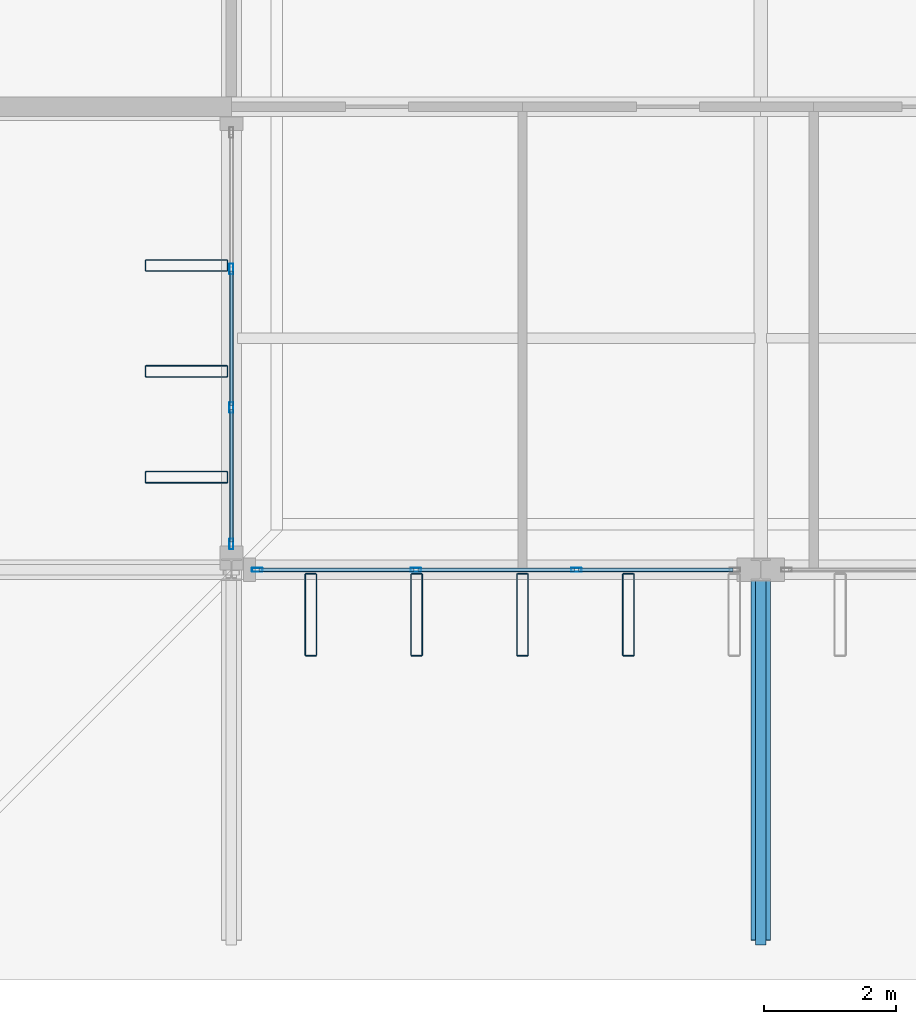
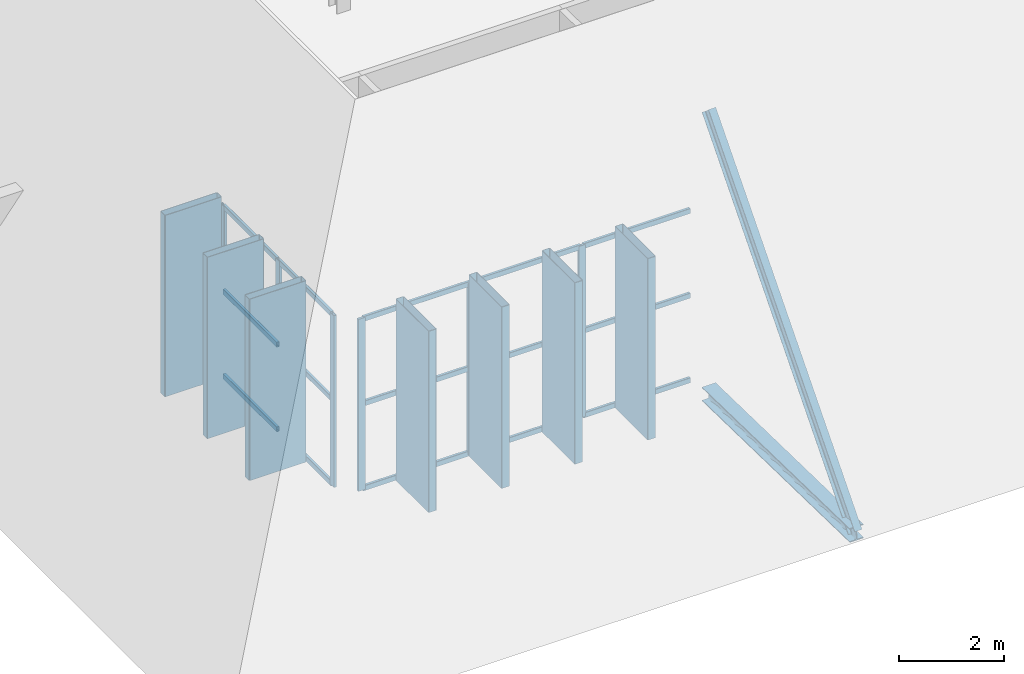
# One storey, part 16 of 93: 29 members, 1 beam, 2 elements without a shape of their own.
"""IFC4 building model written with IfcOpenShell, lengths in metres."""

from ifc_helpers import new_model, si_unit, direction, frame, origin, origin_2d, place, context, subcontext, project, spatial, hollow_rectangle, i_section, extrude, material, layer, layer_set, material_profile, profile_set, type_object, element, aggregate, save


model = new_model("IFC4")

# Units and contexts
model_context = context("Model", 3, precision=1e-05, world=origin(), true_north=direction((0.0, 1.0)))
body_context = subcontext(model_context, "Body", "Model", "MODEL_VIEW")
ifc_project = project(units=[si_unit("LENGTHUNIT", "METRE"), si_unit("AREAUNIT", "SQUARE_METRE"), si_unit("VOLUMEUNIT", "CUBIC_METRE"), si_unit("PLANEANGLEUNIT", "RADIAN"), si_unit("MASSUNIT", "GRAM", prefix="KILO")], contexts=[model_context])

# Site, building, storey
site_placement = place(None, origin())
site = spatial("IfcSite", under=ifc_project, at=site_placement, CompositionType="ELEMENT")
building_placement = place(site_placement, origin())
building = spatial("IfcBuilding", under=site, at=building_placement, Name="Vekula Escarpment Museum", CompositionType="ELEMENT")
storey_placement = place(building_placement, frame((0.0, 0.0, 22.199951171875)))
storey = spatial("IfcBuildingStorey", under=building, at=storey_placement, Name="L05", CompositionType="ELEMENT", Elevation=22.199951171875)

# Beam
ifc_material_1 = material(Name="Steel S355", Category="steel")
ifc_material_profile_1 = material_profile(ifc_material_1, i_section(OverallWidth=0.300048828125, OverallDepth=0.320068359375, WebThickness=0.011474609375, FlangeThickness=0.0205078125, FilletRadius=0.027099609375, at=origin_2d()), Name="HEB 320")
ifc_profile_set_1 = profile_set([ifc_material_profile_1], Name="Steel S355")
beam_type = type_object("IfcBeamType", Name="BM-EAVE-OUT", PredefinedType="BEAM", material=ifc_profile_set_1)
beam_placement = place(storey_placement, frame((78.0, 45.60009765625, -0.39990234375), z_axis=(0.0, -0.999770980386, 0.021400625659), x_axis=(1.0, 0.0, 0.0)))
element("IfcBeam", 1, at=beam_placement, inside=storey, type_object=beam_type, Name="Great Hall South Eave Outrigger 78", PredefinedType="BEAM", context=body_context, shape_type="SweptSolid", body=[
    extrude(i_section(OverallWidth=0.300048828125, OverallDepth=0.320068359375, WebThickness=0.011474609375, FlangeThickness=0.0205078125, FilletRadius=0.027099609375, at=origin_2d()), origin(), (0.0, 0.0, 1.0), 5.601318359375),
])

# Curtain wall, members
ifc_material_2 = material(Name="Aluminium thermally broken framing", Category="aluminium")
ifc_layer_1 = layer(ifc_material_2, 0.159912109375)
ifc_layer_set_1 = layer_set([ifc_layer_1], Name="Aluminium thermally broken framing")
curtain_wall_type_1 = type_object("IfcCurtainWallType", Name="CW-SYS-02", PredefinedType="NOTDEFINED", material=ifc_layer_set_1)
curtain_wall_1_placement = place(storey_placement, origin())
curtain_wall_1 = element("IfcCurtainWall", 2, at=curtain_wall_1_placement, inside=storey, type_object=curtain_wall_type_1, Name="Curtain Wall CW-L05-162", PredefinedType="NOTDEFINED")
ifc_material_3 = material(Name="Aluminium anodized mullion", Category="aluminium")
ifc_material_profile_2 = material_profile(ifc_material_3, hollow_rectangle(XDim=0.06005859375, YDim=0.159912109375, WallThickness=0.00390625, InnerFilletRadius=0.00390625, OuterFilletRadius=0.008056640625, at=origin_2d()), Name="ALU 160x60x4")
ifc_profile_set_2 = profile_set([ifc_material_profile_2], Name="Aluminium anodized mullion")
member_type_1 = type_object("IfcMemberType", Name="CW-MUL-160", PredefinedType="MULLION", material=ifc_profile_set_2)
member_1_placement = place(storey_placement, frame((70.0, 50.146728515625, 0.0), z_axis=(0.0, 0.0, 1.0), x_axis=(1.0, 0.0, 0.0)))
member_1 = element("IfcMember", 3, at=member_1_placement, type_object=member_type_1, Name="CW-02 mullion 2", PredefinedType="MULLION", context=body_context, shape_type="SweptSolid", body=[
    extrude(hollow_rectangle(XDim=0.06005859375, YDim=0.159912109375, WallThickness=0.00390625, InnerFilletRadius=0.00390625, OuterFilletRadius=0.008056640625, at=origin_2d()), origin(), (0.0, 0.0, 1.0), 3.97998046875),
])
member_2_placement = place(storey_placement, frame((70.0, 48.05322265625, 0.0), z_axis=(0.0, 0.0, 1.0), x_axis=(1.0, 0.0, 0.0)))
member_2 = element("IfcMember", 4, at=member_2_placement, type_object=member_type_1, Name="CW-02 mullion 3", PredefinedType="MULLION", context=body_context, shape_type="SweptSolid", body=[
    extrude(hollow_rectangle(XDim=0.06005859375, YDim=0.159912109375, WallThickness=0.00390625, InnerFilletRadius=0.00390625, OuterFilletRadius=0.008056640625, at=origin_2d()), origin(), (0.0, 0.0, 1.0), 3.97998046875),
])
member_3_placement = place(storey_placement, frame((70.0, 45.989990234375, 0.0), z_axis=(0.0, 0.0, 1.0), x_axis=(1.0, 0.0, 0.0)))
member_3 = element("IfcMember", 5, at=member_3_placement, type_object=member_type_1, Name="CW-02 mullion 4", PredefinedType="MULLION", context=body_context, shape_type="SweptSolid", body=[
    extrude(hollow_rectangle(XDim=0.06005859375, YDim=0.159912109375, WallThickness=0.00390625, InnerFilletRadius=0.00390625, OuterFilletRadius=0.008056640625, at=origin_2d()), origin(), (0.0, 0.0, 1.0), 3.97998046875),
])

ifc_material_4 = material(Name="Aluminium thermally broken framing", Category="aluminium")
ifc_layer_2 = layer(ifc_material_4, 0.199951171875)
ifc_layer_set_2 = layer_set([ifc_layer_2], Name="Aluminium thermally broken framing")
curtain_wall_type_2 = type_object("IfcCurtainWallType", Name="CW-SYS-03", PredefinedType="NOTDEFINED", material=ifc_layer_set_2)
curtain_wall_2_placement = place(storey_placement, origin())
curtain_wall_2 = element("IfcCurtainWall", 6, at=curtain_wall_2_placement, inside=storey, type_object=curtain_wall_type_2, Name="Curtain Wall CW-L05-163", PredefinedType="NOTDEFINED")
member_4_placement = place(storey_placement, frame((70.389892578125, 45.60009765625, 0.0), z_axis=(0.0, 0.0, 1.0), x_axis=(0.0, 1.0, 0.0)))
member_4 = element("IfcMember", 7, at=member_4_placement, type_object=member_type_1, Name="CW-03 mullion 1", PredefinedType="MULLION", context=body_context, shape_type="SweptSolid", body=[
    extrude(hollow_rectangle(XDim=0.06005859375, YDim=0.159912109375, WallThickness=0.00390625, InnerFilletRadius=0.00390625, OuterFilletRadius=0.008056640625, at=origin_2d()), origin(), (0.0, 0.0, 1.0), 3.97998046875),
])
member_5_placement = place(storey_placement, frame((72.78662109375, 45.60009765625, 0.0), z_axis=(0.0, 0.0, 1.0), x_axis=(0.0, 1.0, 0.0)))
member_5 = element("IfcMember", 8, at=member_5_placement, type_object=member_type_1, Name="CW-03 mullion 2", PredefinedType="MULLION", context=body_context, shape_type="SweptSolid", body=[
    extrude(hollow_rectangle(XDim=0.06005859375, YDim=0.159912109375, WallThickness=0.00390625, InnerFilletRadius=0.00390625, OuterFilletRadius=0.008056640625, at=origin_2d()), origin(), (0.0, 0.0, 1.0), 3.97998046875),
])
member_6_placement = place(storey_placement, frame((75.21337890625, 45.60009765625, 0.0), z_axis=(0.0, 0.0, 1.0), x_axis=(0.0, 1.0, 0.0)))
member_6 = element("IfcMember", 9, at=member_6_placement, type_object=member_type_1, Name="CW-03 mullion 3", PredefinedType="MULLION", context=body_context, shape_type="SweptSolid", body=[
    extrude(hollow_rectangle(XDim=0.06005859375, YDim=0.159912109375, WallThickness=0.00390625, InnerFilletRadius=0.00390625, OuterFilletRadius=0.008056640625, at=origin_2d()), origin(), (0.0, 0.0, 1.0), 3.97998046875),
])

# Member
ifc_material_5 = material(Name="Aluminium anodized transom", Category="aluminium")
ifc_material_profile_3 = material_profile(ifc_material_5, hollow_rectangle(XDim=0.06005859375, YDim=0.1201171875, WallThickness=0.00390625, InnerFilletRadius=0.00390625, OuterFilletRadius=0.008056640625, at=origin_2d()), Name="ALU 120x60x4")
ifc_profile_set_3 = profile_set([ifc_material_profile_3], Name="Aluminium anodized transom")
member_type_2 = type_object("IfcMemberType", Name="CW-TRN-120", PredefinedType="USERDEFINED", material=ifc_profile_set_3)
member_7_placement = place(storey_placement, frame((70.0, 50.11669921875, 0.030029296875), z_axis=(0.0, -1.0, 0.0), x_axis=(1.0, 0.0, 0.0)))
member_7 = element("IfcMember", 10, at=member_7_placement, type_object=member_type_2, Name="CW-02 transom 2.1", ObjectType="TRANSOM", PredefinedType="USERDEFINED", context=body_context, shape_type="SweptSolid", body=[
    extrude(hollow_rectangle(XDim=0.06005859375, YDim=0.1201171875, WallThickness=0.00390625, InnerFilletRadius=0.00390625, OuterFilletRadius=0.008056640625, at=origin_2d()), origin(), (0.0, 0.0, 1.0), 2.033447265625),
])

member_8_placement = place(storey_placement, frame((70.0, 50.11669921875, 1.989990234375), z_axis=(0.0, -1.0, 0.0), x_axis=(1.0, 0.0, 0.0)))
member_8 = element("IfcMember", 11, at=member_8_placement, type_object=member_type_2, Name="CW-02 transom 2.2", ObjectType="TRANSOM", PredefinedType="USERDEFINED", context=body_context, shape_type="SweptSolid", body=[
    extrude(hollow_rectangle(XDim=0.06005859375, YDim=0.1201171875, WallThickness=0.00390625, InnerFilletRadius=0.00390625, OuterFilletRadius=0.008056640625, at=origin_2d()), origin(), (0.0, 0.0, 1.0), 2.033447265625),
])

member_9_placement = place(storey_placement, frame((70.0, 50.11669921875, 3.949951171875), z_axis=(0.0, -1.0, 0.0), x_axis=(1.0, 0.0, 0.0)))
member_9 = element("IfcMember", 12, at=member_9_placement, type_object=member_type_2, Name="CW-02 transom 2.3", ObjectType="TRANSOM", PredefinedType="USERDEFINED", context=body_context, shape_type="SweptSolid", body=[
    extrude(hollow_rectangle(XDim=0.06005859375, YDim=0.1201171875, WallThickness=0.00390625, InnerFilletRadius=0.00390625, OuterFilletRadius=0.008056640625, at=origin_2d()), origin(), (0.0, 0.0, 1.0), 2.033447265625),
])

member_10_placement = place(storey_placement, frame((70.0, 48.0234375, 0.030029296875), z_axis=(0.0, -1.0, 0.0), x_axis=(1.0, 0.0, 0.0)))
member_10 = element("IfcMember", 13, at=member_10_placement, type_object=member_type_2, Name="CW-02 transom 3.1", ObjectType="TRANSOM", PredefinedType="USERDEFINED", context=body_context, shape_type="SweptSolid", body=[
    extrude(hollow_rectangle(XDim=0.06005859375, YDim=0.1201171875, WallThickness=0.00390625, InnerFilletRadius=0.00390625, OuterFilletRadius=0.008056640625, at=origin_2d()), origin(), (0.0, 0.0, 1.0), 2.00341796875),
])

member_11_placement = place(storey_placement, frame((70.0, 48.0234375, 1.989990234375), z_axis=(0.0, -1.0, 0.0), x_axis=(1.0, 0.0, 0.0)))
member_11 = element("IfcMember", 14, at=member_11_placement, type_object=member_type_2, Name="CW-02 transom 3.2", ObjectType="TRANSOM", PredefinedType="USERDEFINED", context=body_context, shape_type="SweptSolid", body=[
    extrude(hollow_rectangle(XDim=0.06005859375, YDim=0.1201171875, WallThickness=0.00390625, InnerFilletRadius=0.00390625, OuterFilletRadius=0.008056640625, at=origin_2d()), origin(), (0.0, 0.0, 1.0), 2.00341796875),
])

member_12_placement = place(storey_placement, frame((70.0, 48.0234375, 3.949951171875), z_axis=(0.0, -1.0, 0.0), x_axis=(1.0, 0.0, 0.0)))
member_12 = element("IfcMember", 15, at=member_12_placement, type_object=member_type_2, Name="CW-02 transom 3.3", ObjectType="TRANSOM", PredefinedType="USERDEFINED", context=body_context, shape_type="SweptSolid", body=[
    extrude(hollow_rectangle(XDim=0.06005859375, YDim=0.1201171875, WallThickness=0.00390625, InnerFilletRadius=0.00390625, OuterFilletRadius=0.008056640625, at=origin_2d()), origin(), (0.0, 0.0, 1.0), 2.00341796875),
])

aggregate(curtain_wall_1, [member_1, member_2, member_3, member_7, member_8, member_9, member_10, member_11, member_12])

member_13_placement = place(storey_placement, frame((70.419921875, 45.60009765625, 0.030029296875), z_axis=(1.0, 0.0, 0.0), x_axis=(0.0, 1.0, 0.0)))
member_13 = element("IfcMember", 16, at=member_13_placement, type_object=member_type_2, Name="CW-03 transom 1.1", ObjectType="TRANSOM", PredefinedType="USERDEFINED", context=body_context, shape_type="SweptSolid", body=[
    extrude(hollow_rectangle(XDim=0.06005859375, YDim=0.1201171875, WallThickness=0.00390625, InnerFilletRadius=0.00390625, OuterFilletRadius=0.008056640625, at=origin_2d()), origin(), (0.0, 0.0, 1.0), 2.336669921875),
])

member_14_placement = place(storey_placement, frame((70.419921875, 45.60009765625, 1.989990234375), z_axis=(1.0, 0.0, 0.0), x_axis=(0.0, 1.0, 0.0)))
member_14 = element("IfcMember", 17, at=member_14_placement, type_object=member_type_2, Name="CW-03 transom 1.2", ObjectType="TRANSOM", PredefinedType="USERDEFINED", context=body_context, shape_type="SweptSolid", body=[
    extrude(hollow_rectangle(XDim=0.06005859375, YDim=0.1201171875, WallThickness=0.00390625, InnerFilletRadius=0.00390625, OuterFilletRadius=0.008056640625, at=origin_2d()), origin(), (0.0, 0.0, 1.0), 2.336669921875),
])

member_15_placement = place(storey_placement, frame((70.419921875, 45.60009765625, 3.949951171875), z_axis=(1.0, 0.0, 0.0), x_axis=(0.0, 1.0, 0.0)))
member_15 = element("IfcMember", 18, at=member_15_placement, type_object=member_type_2, Name="CW-03 transom 1.3", ObjectType="TRANSOM", PredefinedType="USERDEFINED", context=body_context, shape_type="SweptSolid", body=[
    extrude(hollow_rectangle(XDim=0.06005859375, YDim=0.1201171875, WallThickness=0.00390625, InnerFilletRadius=0.00390625, OuterFilletRadius=0.008056640625, at=origin_2d()), origin(), (0.0, 0.0, 1.0), 2.336669921875),
])

member_16_placement = place(storey_placement, frame((72.816650390625, 45.60009765625, 0.030029296875), z_axis=(1.0, 0.0, 0.0), x_axis=(0.0, 1.0, 0.0)))
member_16 = element("IfcMember", 19, at=member_16_placement, type_object=member_type_2, Name="CW-03 transom 2.1", ObjectType="TRANSOM", PredefinedType="USERDEFINED", context=body_context, shape_type="SweptSolid", body=[
    extrude(hollow_rectangle(XDim=0.06005859375, YDim=0.1201171875, WallThickness=0.00390625, InnerFilletRadius=0.00390625, OuterFilletRadius=0.008056640625, at=origin_2d()), origin(), (0.0, 0.0, 1.0), 2.36669921875),
])

member_17_placement = place(storey_placement, frame((72.816650390625, 45.60009765625, 1.989990234375), z_axis=(1.0, 0.0, 0.0), x_axis=(0.0, 1.0, 0.0)))
member_17 = element("IfcMember", 20, at=member_17_placement, type_object=member_type_2, Name="CW-03 transom 2.2", ObjectType="TRANSOM", PredefinedType="USERDEFINED", context=body_context, shape_type="SweptSolid", body=[
    extrude(hollow_rectangle(XDim=0.06005859375, YDim=0.1201171875, WallThickness=0.00390625, InnerFilletRadius=0.00390625, OuterFilletRadius=0.008056640625, at=origin_2d()), origin(), (0.0, 0.0, 1.0), 2.36669921875),
])

member_18_placement = place(storey_placement, frame((72.816650390625, 45.60009765625, 3.949951171875), z_axis=(1.0, 0.0, 0.0), x_axis=(0.0, 1.0, 0.0)))
member_18 = element("IfcMember", 21, at=member_18_placement, type_object=member_type_2, Name="CW-03 transom 2.3", ObjectType="TRANSOM", PredefinedType="USERDEFINED", context=body_context, shape_type="SweptSolid", body=[
    extrude(hollow_rectangle(XDim=0.06005859375, YDim=0.1201171875, WallThickness=0.00390625, InnerFilletRadius=0.00390625, OuterFilletRadius=0.008056640625, at=origin_2d()), origin(), (0.0, 0.0, 1.0), 2.36669921875),
])

member_19_placement = place(storey_placement, frame((75.243408203125, 45.60009765625, 0.030029296875), z_axis=(1.0, 0.0, 0.0), x_axis=(0.0, 1.0, 0.0)))
member_19 = element("IfcMember", 22, at=member_19_placement, type_object=member_type_2, Name="CW-03 transom 3.1", ObjectType="TRANSOM", PredefinedType="USERDEFINED", context=body_context, shape_type="SweptSolid", body=[
    extrude(hollow_rectangle(XDim=0.06005859375, YDim=0.1201171875, WallThickness=0.00390625, InnerFilletRadius=0.00390625, OuterFilletRadius=0.008056640625, at=origin_2d()), origin(), (0.0, 0.0, 1.0), 2.336669921875),
])

member_20_placement = place(storey_placement, frame((75.243408203125, 45.60009765625, 1.989990234375), z_axis=(1.0, 0.0, 0.0), x_axis=(0.0, 1.0, 0.0)))
member_20 = element("IfcMember", 23, at=member_20_placement, type_object=member_type_2, Name="CW-03 transom 3.2", ObjectType="TRANSOM", PredefinedType="USERDEFINED", context=body_context, shape_type="SweptSolid", body=[
    extrude(hollow_rectangle(XDim=0.06005859375, YDim=0.1201171875, WallThickness=0.00390625, InnerFilletRadius=0.00390625, OuterFilletRadius=0.008056640625, at=origin_2d()), origin(), (0.0, 0.0, 1.0), 2.336669921875),
])

member_21_placement = place(storey_placement, frame((75.243408203125, 45.60009765625, 3.949951171875), z_axis=(1.0, 0.0, 0.0), x_axis=(0.0, 1.0, 0.0)))
member_21 = element("IfcMember", 24, at=member_21_placement, type_object=member_type_2, Name="CW-03 transom 3.3", ObjectType="TRANSOM", PredefinedType="USERDEFINED", context=body_context, shape_type="SweptSolid", body=[
    extrude(hollow_rectangle(XDim=0.06005859375, YDim=0.1201171875, WallThickness=0.00390625, InnerFilletRadius=0.00390625, OuterFilletRadius=0.008056640625, at=origin_2d()), origin(), (0.0, 0.0, 1.0), 2.336669921875),
])

aggregate(curtain_wall_2, [member_4, member_5, member_6, member_13, member_14, member_15, member_16, member_17, member_18, member_19, member_20, member_21])

# Members
ifc_material_6 = material(Name="Steel S355", Category="steel")
ifc_material_profile_4 = material_profile(ifc_material_6, i_section(OverallWidth=0.159912109375, OverallDepth=0.330078125, WebThickness=0.007568359375, FlangeThickness=0.011474609375, FilletRadius=0.01806640625, at=origin_2d()), Name="IPE 330")
ifc_profile_set_4 = profile_set([ifc_material_profile_4], Name="Steel S355")
member_type_3 = type_object("IfcMemberType", Name="MB-SKIRT-RAFTER", PredefinedType="CHORD", material=ifc_profile_set_4)
member_22_placement = place(storey_placement, frame((78.0, 40.050048828125, -0.280029296875), z_axis=(0.0, 0.654565426105, 0.756005359073), x_axis=(-1.0, 0.0, 0.0)))
element("IfcMember", 25, at=member_22_placement, inside=storey, type_object=member_type_3, Name="Truncated-Hip Rafter South 78", PredefinedType="CHORD", context=body_context, shape_type="SweptSolid", body=[
    extrude(i_section(OverallWidth=0.159912109375, OverallDepth=0.330078125, WebThickness=0.007568359375, FlangeThickness=0.011474609375, FilletRadius=0.01806640625, at=origin_2d()), origin(), (0.0, 0.0, 1.0), 8.47900390625),
])
ifc_material_7 = material(Name="Steel S355 weathered bronze solar fin", Category="steel")
ifc_material_profile_5 = material_profile(ifc_material_7, hollow_rectangle(XDim=0.179931640625, YDim=1.25, WallThickness=0.010009765625, InnerFilletRadius=0.010009765625, OuterFilletRadius=0.02001953125, at=origin_2d()), Name="RHS 1250x180x10")
ifc_profile_set_5 = profile_set([ifc_material_profile_5], Name="Steel S355 weathered bronze solar fin")
member_type_4 = type_object("IfcMemberType", Name="MB-SOLAR-FIN", PredefinedType="USERDEFINED", material=ifc_profile_set_5)
for number, where, z_axis, x_axis, name in (
    (26, (71.199951171875, 44.919921875, 0.0), (0.0, 0.0, 1.0), (1.0, 0.0, 0.0), "Great Hall Vertical Solar Fin 0005"),
    (27, (72.800048828125, 44.919921875, 0.0), (0.0, 0.0, 1.0), (1.0, 0.0, 0.0), "Great Hall Vertical Solar Fin 0010"),
    (28, (74.39990234375, 44.919921875, 0.0), (0.0, 0.0, 1.0), (1.0, 0.0, 0.0), "Great Hall Vertical Solar Fin 0015"),
    (29, (76.0, 44.919921875, 0.0), (0.0, 0.0, 1.0), (1.0, 0.0, 0.0), "Great Hall Vertical Solar Fin 0020"),
    (30, (69.320068359375, 47.0, 0.0), (0.0, 0.0, 1.0), (0.0, 1.0, 0.0), "Great Hall Vertical Solar Fin 0285"),
    (31, (69.320068359375, 48.60009765625, 0.0), (0.0, 0.0, 1.0), (0.0, 1.0, 0.0), "Great Hall Vertical Solar Fin 0290"),
    (32, (69.320068359375, 50.199951171875, 0.0), (0.0, 0.0, 1.0), (0.0, 1.0, 0.0), "Great Hall Vertical Solar Fin 0295"),
):
    element("IfcMember", number, at=place(storey_placement, frame(where, z_axis=z_axis, x_axis=x_axis)), inside=storey, type_object=member_type_4, Name=name, ObjectType="SOLAR FIN", PredefinedType="USERDEFINED", context=body_context, shape_type="SweptSolid", body=[
        extrude(hollow_rectangle(XDim=0.179931640625, YDim=1.25, WallThickness=0.010009765625, InnerFilletRadius=0.010009765625, OuterFilletRadius=0.02001953125, at=origin_2d()), origin(), (0.0, 0.0, 1.0), 4.199951171875),
    ])

save(model, "model.ifc")
